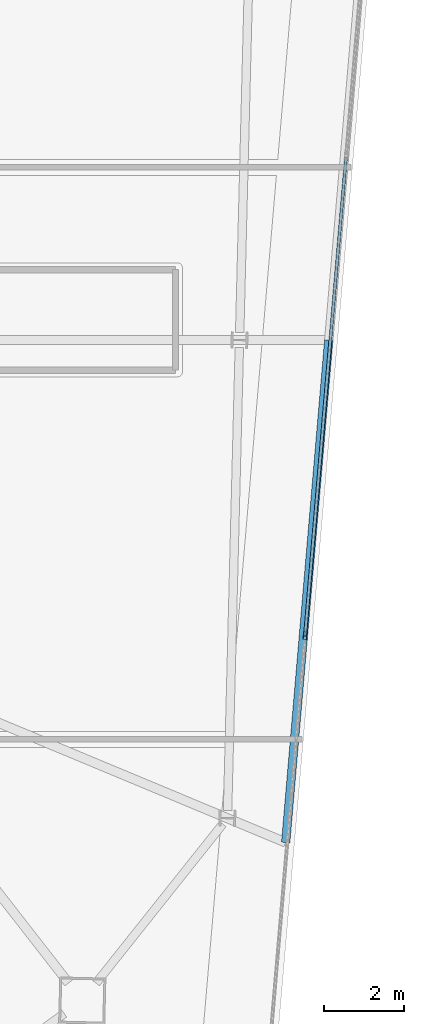
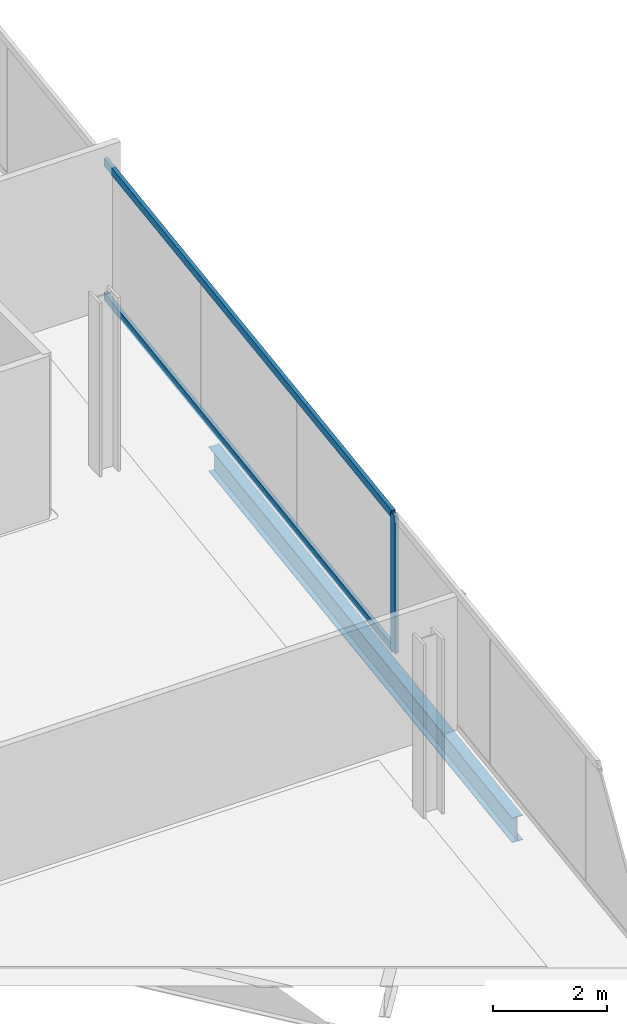
# One storey, part 11 of 24: 3 members, 1 beam, 1 element without a shape of its own.
"""IFC4 building model written with IfcOpenShell, lengths in metres."""

from ifc_helpers import new_model, si_unit, direction, frame, origin, origin_2d, place, context, subcontext, project, spatial, hollow_rectangle, i_section, extrude, material, material_profile, profile_set, type_object, element, aggregate, save


model = new_model("IFC4")

# Units and contexts
model_context = context("Model", 3, precision=1e-05, world=origin(), true_north=direction((0.0, 1.0)))
body_context = subcontext(model_context, "Body", "Model", "MODEL_VIEW")
ifc_project = project(units=[si_unit("LENGTHUNIT", "METRE"), si_unit("AREAUNIT", "SQUARE_METRE"), si_unit("VOLUMEUNIT", "CUBIC_METRE"), si_unit("PLANEANGLEUNIT", "RADIAN"), si_unit("MASSUNIT", "GRAM", prefix="KILO")], contexts=[model_context])

# Site, building, storey
site_placement = place(None, origin())
site = spatial("IfcSite", under=ifc_project, at=site_placement, CompositionType="ELEMENT")
building_placement = place(site_placement, origin())
building = spatial("IfcBuilding", under=site, at=building_placement, Name="Haldenkirk Collegiate Tower", CompositionType="ELEMENT")
storey_placement = place(building_placement, frame((0.0, 0.0, 313.949951171875)))
storey = spatial("IfcBuildingStorey", under=building, at=storey_placement, Name="L79", CompositionType="ELEMENT", Elevation=313.949951171875)

# Beam
ifc_material_1 = material(Name="Steel ASTM A992 Grade 50", Category="steel")
ifc_material_profile_1 = material_profile(ifc_material_1, i_section(OverallWidth=0.2099609375, OverallDepth=0.537109375, WebThickness=0.010986328125, FlangeThickness=0.017333984375, at=origin_2d()), Name="W21X68")
ifc_profile_set_1 = profile_set([ifc_material_profile_1], Name="Steel ASTM A992 Grade 50")
beam_type = type_object("IfcBeamType", Name="BM-SPANDREL-W21X68", PredefinedType="SPANDREL", material=ifc_profile_set_1)
beam_placement = place(storey_placement, frame((57.044677734375, 12.978759765625, -0.528564453125), z_axis=(0.085425392612, 0.996344570065, 0.0), x_axis=(-0.996344570065, 0.085425392612, 0.0)))
element("IfcBeam", 1, at=beam_placement, inside=storey, type_object=beam_type, Name="L79 outer facade edge beam 1A", PredefinedType="SPANDREL", context=body_context, shape_type="SweptSolid", body=[
    extrude(i_section(OverallWidth=0.2099609375, OverallDepth=0.537109375, WebThickness=0.010986328125, FlangeThickness=0.017333984375, at=origin_2d()), origin(), (0.0, 0.0, 1.0), 12.5634765625),
])

# Curtain wall, members
ifc_material_2 = material(Name="Anodised architectural bronze aluminium", Category="aluminium")
curtain_wall_type = type_object("IfcCurtainWallType", Name="CW-SYS2-CONCAVE", PredefinedType="USERDEFINED", material=ifc_material_2)
curtain_wall_placement = place(storey_placement, origin())
curtain_wall = element("IfcCurtainWall", 2, at=curtain_wall_placement, inside=storey, type_object=curtain_wall_type, Name="L79 South concave recessed bronze-anodised curtain wall", ObjectType="UNITISED CURTAIN WALL", PredefinedType="USERDEFINED")
ifc_material_profile_2 = material_profile(ifc_material_2, hollow_rectangle(XDim=0.074951171875, YDim=0.18994140625, WallThickness=0.0048828125, at=origin_2d()), Name="CW-MUL-02")
ifc_profile_set_2 = profile_set([ifc_material_profile_2], Name="Anodised architectural bronze aluminium")
member_type_1 = type_object("IfcMemberType", Name="CW-MUL-02", PredefinedType="MULLION", material=ifc_profile_set_2)
member_1_placement = place(storey_placement, frame((57.526611328125, 18.132568359375, 0.0), z_axis=(0.0, 0.0, 1.0), x_axis=(0.996345311804, -0.085416741017, 0.0)))
member_1 = element("IfcMember", 3, at=member_1_placement, type_object=member_type_1, Name="CW-02 mullion 3", PredefinedType="MULLION", context=body_context, shape_type="SweptSolid", body=[
    extrude(hollow_rectangle(XDim=0.074951171875, YDim=0.18994140625, WallThickness=0.0048828125, at=origin_2d()), origin(), (0.0, 0.0, 1.0), 2.947998046875),
])
ifc_material_profile_3 = material_profile(ifc_material_2, hollow_rectangle(XDim=0.074951171875, YDim=0.159912109375, WallThickness=0.0048828125, at=origin_2d()), Name="CW-TRN-02")
ifc_profile_set_3 = profile_set([ifc_material_profile_3], Name="Anodised architectural bronze aluminium")
member_type_2 = type_object("IfcMemberType", Name="CW-TRN-02", PredefinedType="USERDEFINED", material=ifc_profile_set_3)
member_2_placement = place(storey_placement, frame((58.548583984375, 30.05126953125, 0.03759765625), z_axis=(-0.085434240028, -0.996343811458, 0.0), x_axis=(0.996343811458, -0.085434240028, 0.0)))
member_2 = element("IfcMember", 4, at=member_2_placement, type_object=member_type_2, Name="CW-02 transom 2.1", ObjectType="TRANSOM", PredefinedType="USERDEFINED", context=body_context, shape_type="SweptSolid", body=[
    extrude(hollow_rectangle(XDim=0.074951171875, YDim=0.159912109375, WallThickness=0.0048828125, at=origin_2d()), origin(), (0.0, 0.0, 1.0), 11.925048828125),
])
member_3_placement = place(storey_placement, frame((58.548583984375, 30.05126953125, 2.91064453125), z_axis=(-0.085434240028, -0.996343811458, 0.0), x_axis=(0.996343811458, -0.085434240028, 0.0)))
member_3 = element("IfcMember", 5, at=member_3_placement, type_object=member_type_2, Name="CW-02 transom 2.2", ObjectType="TRANSOM", PredefinedType="USERDEFINED", context=body_context, shape_type="SweptSolid", body=[
    extrude(hollow_rectangle(XDim=0.074951171875, YDim=0.159912109375, WallThickness=0.0048828125, at=origin_2d()), origin(), (0.0, 0.0, 1.0), 11.925048828125),
])
aggregate(curtain_wall, [member_1, member_2, member_3])

save(model, "model.ifc")
